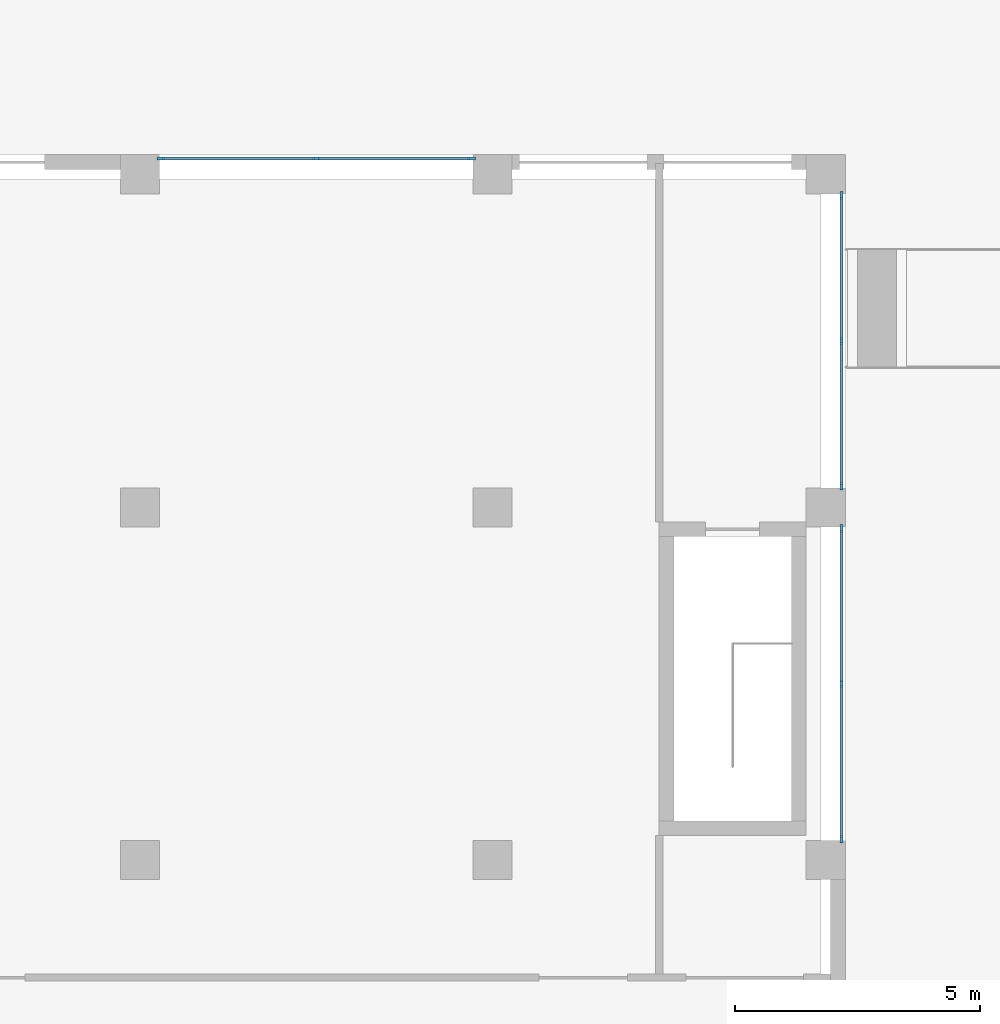
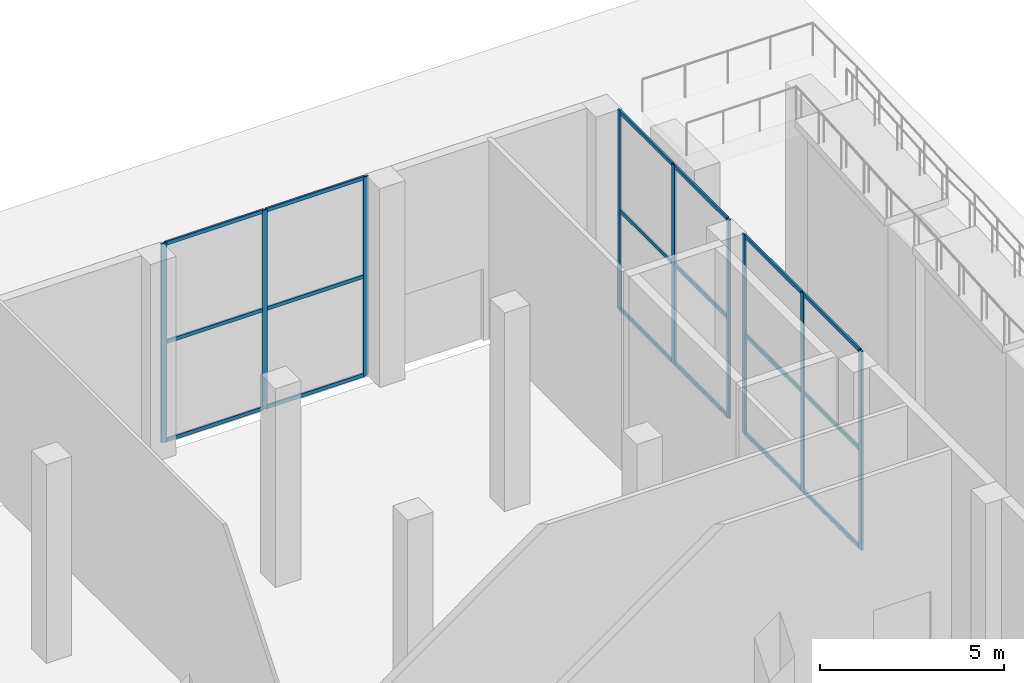
# One storey, part 11 of 44: 27 members, 3 elements without a shape of their own.
"""IFC4 building model written with IfcOpenShell, lengths in metres."""

from ifc_helpers import new_model, si_unit, direction, frame, origin, origin_2d, place, context, subcontext, project, spatial, rectangle, extrude, material, material_profile, profile_set, type_object, element, aggregate, save


model = new_model("IFC4")

# Units and contexts
model_context = context("Model", 3, precision=1e-05, world=origin(), true_north=direction((0.0, 1.0)))
body_context = subcontext(model_context, "Body", "Model", "MODEL_VIEW")
ifc_project = project(units=[si_unit("LENGTHUNIT", "METRE"), si_unit("AREAUNIT", "SQUARE_METRE"), si_unit("VOLUMEUNIT", "CUBIC_METRE"), si_unit("PLANEANGLEUNIT", "RADIAN"), si_unit("MASSUNIT", "GRAM", prefix="KILO")], contexts=[model_context])

# Site, building, storey
site_placement = place(None, origin())
site = spatial("IfcSite", under=ifc_project, at=site_placement, CompositionType="ELEMENT")
building_placement = place(site_placement, origin())
building = spatial("IfcBuilding", under=site, at=building_placement, Name="Fustian Cross Tower", CompositionType="ELEMENT")
storey_placement = place(building_placement, origin())
storey = spatial("IfcBuildingStorey", under=building, at=storey_placement, Name="L00", CompositionType="ELEMENT", Elevation=0.0)

# Curtain wall, members
ifc_material_1 = material(Name="Glass", Category="glass")
curtain_wall_type = type_object("IfcCurtainWallType", Name="CW3 CURTAIN WALL", PredefinedType="NOTDEFINED", material=ifc_material_1)
curtain_wall_1_placement = place(storey_placement, origin())
curtain_wall_1 = element("IfcCurtainWall", 1, at=curtain_wall_1_placement, inside=storey, type_object=curtain_wall_type, Name="Curtain wall CW3", PredefinedType="NOTDEFINED")
ifc_material_2 = material(Name="Aluminium alloy 6063", Category="aluminium")
ifc_material_profile_1 = material_profile(ifc_material_2, rectangle(XDim=0.06005859375, YDim=0.159912109375, at=origin_2d()), Name="CW3 MULLION 60x160")
ifc_profile_set_1 = profile_set([ifc_material_profile_1], Name="Aluminium alloy 6063")
member_type_1 = type_object("IfcMemberType", Name="CW3 MULLION 60x160", PredefinedType="MULLION", material=ifc_profile_set_1)
member_1_placement = place(storey_placement, frame((50.320068359375, 36.429931640625, 0.0), z_axis=(0.0, 0.0, 1.0), x_axis=(-1.0, 0.0, 0.0)))
member_1 = element("IfcMember", 2, at=member_1_placement, type_object=member_type_1, Name="CW3 mullion 1", PredefinedType="MULLION", context=body_context, shape_type="SweptSolid", body=[
    extrude(rectangle(XDim=0.06005859375, YDim=0.159912109375, at=origin_2d()), origin(), (0.0, 0.0, 1.0), 6.60009765625),
])
member_2_placement = place(storey_placement, frame((50.320068359375, 39.60009765625, 0.0), z_axis=(0.0, 0.0, 1.0), x_axis=(-1.0, 0.0, 0.0)))
member_2 = element("IfcMember", 3, at=member_2_placement, type_object=member_type_1, Name="CW3 mullion 2", PredefinedType="MULLION", context=body_context, shape_type="SweptSolid", body=[
    extrude(rectangle(XDim=0.06005859375, YDim=0.159912109375, at=origin_2d()), origin(), (0.0, 0.0, 1.0), 6.60009765625),
])
member_3_placement = place(storey_placement, frame((50.320068359375, 42.77001953125, 0.0), z_axis=(0.0, 0.0, 1.0), x_axis=(-1.0, 0.0, 0.0)))
member_3 = element("IfcMember", 4, at=member_3_placement, type_object=member_type_1, Name="CW3 mullion 3", PredefinedType="MULLION", context=body_context, shape_type="SweptSolid", body=[
    extrude(rectangle(XDim=0.06005859375, YDim=0.159912109375, at=origin_2d()), origin(), (0.0, 0.0, 1.0), 6.60009765625),
])

curtain_wall_2_placement = place(storey_placement, origin())
curtain_wall_2 = element("IfcCurtainWall", 5, at=curtain_wall_2_placement, inside=storey, type_object=curtain_wall_type, Name="Curtain wall CW3", PredefinedType="NOTDEFINED")
member_4_placement = place(storey_placement, frame((50.320068359375, 43.6298828125, 0.0), z_axis=(0.0, 0.0, 1.0), x_axis=(-1.0, 0.0, 0.0)))
member_4 = element("IfcMember", 6, at=member_4_placement, type_object=member_type_1, Name="CW3 mullion 1", PredefinedType="MULLION", context=body_context, shape_type="SweptSolid", body=[
    extrude(rectangle(XDim=0.06005859375, YDim=0.159912109375, at=origin_2d()), origin(), (0.0, 0.0, 1.0), 6.60009765625),
])
member_5_placement = place(storey_placement, frame((50.320068359375, 46.60009765625, 0.0), z_axis=(0.0, 0.0, 1.0), x_axis=(-1.0, 0.0, 0.0)))
member_5 = element("IfcMember", 7, at=member_5_placement, type_object=member_type_1, Name="CW3 mullion 2", PredefinedType="MULLION", context=body_context, shape_type="SweptSolid", body=[
    extrude(rectangle(XDim=0.06005859375, YDim=0.159912109375, at=origin_2d()), origin(), (0.0, 0.0, 1.0), 6.60009765625),
])
member_6_placement = place(storey_placement, frame((50.320068359375, 49.570068359375, 0.0), z_axis=(0.0, 0.0, 1.0), x_axis=(-1.0, 0.0, 0.0)))
member_6 = element("IfcMember", 8, at=member_6_placement, type_object=member_type_1, Name="CW3 mullion 3", PredefinedType="MULLION", context=body_context, shape_type="SweptSolid", body=[
    extrude(rectangle(XDim=0.06005859375, YDim=0.159912109375, at=origin_2d()), origin(), (0.0, 0.0, 1.0), 6.60009765625),
])

curtain_wall_3_placement = place(storey_placement, origin())
curtain_wall_3 = element("IfcCurtainWall", 9, at=curtain_wall_3_placement, inside=storey, type_object=curtain_wall_type, Name="Curtain wall CW3", PredefinedType="NOTDEFINED")
member_7_placement = place(storey_placement, frame((42.77001953125, 50.320068359375, 0.0), z_axis=(0.0, 0.0, 1.0), x_axis=(0.0, -1.0, 0.0)))
member_7 = element("IfcMember", 10, at=member_7_placement, type_object=member_type_1, Name="CW3 mullion 1", PredefinedType="MULLION", context=body_context, shape_type="SweptSolid", body=[
    extrude(rectangle(XDim=0.06005859375, YDim=0.159912109375, at=origin_2d()), origin(), (0.0, 0.0, 1.0), 6.60009765625),
])
member_8_placement = place(storey_placement, frame((39.60009765625, 50.320068359375, 0.0), z_axis=(0.0, 0.0, 1.0), x_axis=(0.0, -1.0, 0.0)))
member_8 = element("IfcMember", 11, at=member_8_placement, type_object=member_type_1, Name="CW3 mullion 2", PredefinedType="MULLION", context=body_context, shape_type="SweptSolid", body=[
    extrude(rectangle(XDim=0.06005859375, YDim=0.159912109375, at=origin_2d()), origin(), (0.0, 0.0, 1.0), 6.60009765625),
])
member_9_placement = place(storey_placement, frame((36.429931640625, 50.320068359375, 0.0), z_axis=(0.0, 0.0, 1.0), x_axis=(0.0, -1.0, 0.0)))
member_9 = element("IfcMember", 12, at=member_9_placement, type_object=member_type_1, Name="CW3 mullion 3", PredefinedType="MULLION", context=body_context, shape_type="SweptSolid", body=[
    extrude(rectangle(XDim=0.06005859375, YDim=0.159912109375, at=origin_2d()), origin(), (0.0, 0.0, 1.0), 6.60009765625),
])

# Member
ifc_material_3 = material(Name="Aluminium alloy 6063", Category="aluminium")
ifc_material_profile_2 = material_profile(ifc_material_3, rectangle(XDim=0.06005859375, YDim=0.1201171875, at=origin_2d()), Name="CW3 TRANSOM 60x120")
ifc_profile_set_2 = profile_set([ifc_material_profile_2], Name="Aluminium alloy 6063")
member_type_2 = type_object("IfcMemberType", Name="CW3 TRANSOM 60x120", PredefinedType="USERDEFINED", material=ifc_profile_set_2)
member_10_placement = place(storey_placement, frame((50.320068359375, 36.4599609375, 0.030029296875), z_axis=(0.0, 1.0, 0.0), x_axis=(-1.0, 0.0, 0.0)))
member_10 = element("IfcMember", 13, at=member_10_placement, type_object=member_type_2, Name="CW3 transom 1.1", ObjectType="TRANSOM", PredefinedType="USERDEFINED", context=body_context, shape_type="SweptSolid", body=[
    extrude(rectangle(XDim=0.06005859375, YDim=0.1201171875, at=origin_2d()), origin(), (0.0, 0.0, 1.0), 3.110107421875),
])

member_11_placement = place(storey_placement, frame((50.320068359375, 36.4599609375, 3.300048828125), z_axis=(0.0, 1.0, 0.0), x_axis=(-1.0, 0.0, 0.0)))
member_11 = element("IfcMember", 14, at=member_11_placement, type_object=member_type_2, Name="CW3 transom 1.2", ObjectType="TRANSOM", PredefinedType="USERDEFINED", context=body_context, shape_type="SweptSolid", body=[
    extrude(rectangle(XDim=0.06005859375, YDim=0.1201171875, at=origin_2d()), origin(), (0.0, 0.0, 1.0), 3.110107421875),
])

member_12_placement = place(storey_placement, frame((50.320068359375, 36.4599609375, 6.570068359375), z_axis=(0.0, 1.0, 0.0), x_axis=(-1.0, 0.0, 0.0)))
member_12 = element("IfcMember", 15, at=member_12_placement, type_object=member_type_2, Name="CW3 transom 1.3", ObjectType="TRANSOM", PredefinedType="USERDEFINED", context=body_context, shape_type="SweptSolid", body=[
    extrude(rectangle(XDim=0.06005859375, YDim=0.1201171875, at=origin_2d()), origin(), (0.0, 0.0, 1.0), 3.110107421875),
])

member_13_placement = place(storey_placement, frame((50.320068359375, 39.6298828125, 0.030029296875), z_axis=(0.0, 1.0, 0.0), x_axis=(-1.0, 0.0, 0.0)))
member_13 = element("IfcMember", 16, at=member_13_placement, type_object=member_type_2, Name="CW3 transom 2.1", ObjectType="TRANSOM", PredefinedType="USERDEFINED", context=body_context, shape_type="SweptSolid", body=[
    extrude(rectangle(XDim=0.06005859375, YDim=0.1201171875, at=origin_2d()), origin(), (0.0, 0.0, 1.0), 3.110107421875),
])

member_14_placement = place(storey_placement, frame((50.320068359375, 39.6298828125, 3.300048828125), z_axis=(0.0, 1.0, 0.0), x_axis=(-1.0, 0.0, 0.0)))
member_14 = element("IfcMember", 17, at=member_14_placement, type_object=member_type_2, Name="CW3 transom 2.2", ObjectType="TRANSOM", PredefinedType="USERDEFINED", context=body_context, shape_type="SweptSolid", body=[
    extrude(rectangle(XDim=0.06005859375, YDim=0.1201171875, at=origin_2d()), origin(), (0.0, 0.0, 1.0), 3.110107421875),
])

member_15_placement = place(storey_placement, frame((50.320068359375, 39.6298828125, 6.570068359375), z_axis=(0.0, 1.0, 0.0), x_axis=(-1.0, 0.0, 0.0)))
member_15 = element("IfcMember", 18, at=member_15_placement, type_object=member_type_2, Name="CW3 transom 2.3", ObjectType="TRANSOM", PredefinedType="USERDEFINED", context=body_context, shape_type="SweptSolid", body=[
    extrude(rectangle(XDim=0.06005859375, YDim=0.1201171875, at=origin_2d()), origin(), (0.0, 0.0, 1.0), 3.110107421875),
])

aggregate(curtain_wall_1, [member_1, member_2, member_3, member_10, member_11, member_12, member_13, member_14, member_15])

member_16_placement = place(storey_placement, frame((50.320068359375, 43.659912109375, 0.030029296875), z_axis=(0.0, 1.0, 0.0), x_axis=(-1.0, 0.0, 0.0)))
member_16 = element("IfcMember", 19, at=member_16_placement, type_object=member_type_2, Name="CW3 transom 1.1", ObjectType="TRANSOM", PredefinedType="USERDEFINED", context=body_context, shape_type="SweptSolid", body=[
    extrude(rectangle(XDim=0.06005859375, YDim=0.1201171875, at=origin_2d()), origin(), (0.0, 0.0, 1.0), 2.91015625),
])

member_17_placement = place(storey_placement, frame((50.320068359375, 43.659912109375, 3.300048828125), z_axis=(0.0, 1.0, 0.0), x_axis=(-1.0, 0.0, 0.0)))
member_17 = element("IfcMember", 20, at=member_17_placement, type_object=member_type_2, Name="CW3 transom 1.2", ObjectType="TRANSOM", PredefinedType="USERDEFINED", context=body_context, shape_type="SweptSolid", body=[
    extrude(rectangle(XDim=0.06005859375, YDim=0.1201171875, at=origin_2d()), origin(), (0.0, 0.0, 1.0), 2.91015625),
])

member_18_placement = place(storey_placement, frame((50.320068359375, 43.659912109375, 6.570068359375), z_axis=(0.0, 1.0, 0.0), x_axis=(-1.0, 0.0, 0.0)))
member_18 = element("IfcMember", 21, at=member_18_placement, type_object=member_type_2, Name="CW3 transom 1.3", ObjectType="TRANSOM", PredefinedType="USERDEFINED", context=body_context, shape_type="SweptSolid", body=[
    extrude(rectangle(XDim=0.06005859375, YDim=0.1201171875, at=origin_2d()), origin(), (0.0, 0.0, 1.0), 2.91015625),
])

member_19_placement = place(storey_placement, frame((50.320068359375, 46.6298828125, 0.030029296875), z_axis=(0.0, 1.0, 0.0), x_axis=(-1.0, 0.0, 0.0)))
member_19 = element("IfcMember", 22, at=member_19_placement, type_object=member_type_2, Name="CW3 transom 2.1", ObjectType="TRANSOM", PredefinedType="USERDEFINED", context=body_context, shape_type="SweptSolid", body=[
    extrude(rectangle(XDim=0.06005859375, YDim=0.1201171875, at=origin_2d()), origin(), (0.0, 0.0, 1.0), 2.91015625),
])

member_20_placement = place(storey_placement, frame((50.320068359375, 46.6298828125, 3.300048828125), z_axis=(0.0, 1.0, 0.0), x_axis=(-1.0, 0.0, 0.0)))
member_20 = element("IfcMember", 23, at=member_20_placement, type_object=member_type_2, Name="CW3 transom 2.2", ObjectType="TRANSOM", PredefinedType="USERDEFINED", context=body_context, shape_type="SweptSolid", body=[
    extrude(rectangle(XDim=0.06005859375, YDim=0.1201171875, at=origin_2d()), origin(), (0.0, 0.0, 1.0), 2.91015625),
])

member_21_placement = place(storey_placement, frame((50.320068359375, 46.6298828125, 6.570068359375), z_axis=(0.0, 1.0, 0.0), x_axis=(-1.0, 0.0, 0.0)))
member_21 = element("IfcMember", 24, at=member_21_placement, type_object=member_type_2, Name="CW3 transom 2.3", ObjectType="TRANSOM", PredefinedType="USERDEFINED", context=body_context, shape_type="SweptSolid", body=[
    extrude(rectangle(XDim=0.06005859375, YDim=0.1201171875, at=origin_2d()), origin(), (0.0, 0.0, 1.0), 2.91015625),
])

aggregate(curtain_wall_2, [member_4, member_5, member_6, member_16, member_17, member_18, member_19, member_20, member_21])

member_22_placement = place(storey_placement, frame((42.739990234375, 50.320068359375, 0.030029296875), z_axis=(-1.0, 0.0, 0.0), x_axis=(0.0, -1.0, 0.0)))
member_22 = element("IfcMember", 25, at=member_22_placement, type_object=member_type_2, Name="CW3 transom 1.1", ObjectType="TRANSOM", PredefinedType="USERDEFINED", context=body_context, shape_type="SweptSolid", body=[
    extrude(rectangle(XDim=0.06005859375, YDim=0.1201171875, at=origin_2d()), origin(), (0.0, 0.0, 1.0), 3.110107421875),
])

member_23_placement = place(storey_placement, frame((42.739990234375, 50.320068359375, 3.300048828125), z_axis=(-1.0, 0.0, 0.0), x_axis=(0.0, -1.0, 0.0)))
member_23 = element("IfcMember", 26, at=member_23_placement, type_object=member_type_2, Name="CW3 transom 1.2", ObjectType="TRANSOM", PredefinedType="USERDEFINED", context=body_context, shape_type="SweptSolid", body=[
    extrude(rectangle(XDim=0.06005859375, YDim=0.1201171875, at=origin_2d()), origin(), (0.0, 0.0, 1.0), 3.110107421875),
])

member_24_placement = place(storey_placement, frame((42.739990234375, 50.320068359375, 6.570068359375), z_axis=(-1.0, 0.0, 0.0), x_axis=(0.0, -1.0, 0.0)))
member_24 = element("IfcMember", 27, at=member_24_placement, type_object=member_type_2, Name="CW3 transom 1.3", ObjectType="TRANSOM", PredefinedType="USERDEFINED", context=body_context, shape_type="SweptSolid", body=[
    extrude(rectangle(XDim=0.06005859375, YDim=0.1201171875, at=origin_2d()), origin(), (0.0, 0.0, 1.0), 3.110107421875),
])

member_25_placement = place(storey_placement, frame((39.570068359375, 50.320068359375, 0.030029296875), z_axis=(-1.0, 0.0, 0.0), x_axis=(0.0, -1.0, 0.0)))
member_25 = element("IfcMember", 28, at=member_25_placement, type_object=member_type_2, Name="CW3 transom 2.1", ObjectType="TRANSOM", PredefinedType="USERDEFINED", context=body_context, shape_type="SweptSolid", body=[
    extrude(rectangle(XDim=0.06005859375, YDim=0.1201171875, at=origin_2d()), origin(), (0.0, 0.0, 1.0), 3.110107421875),
])

member_26_placement = place(storey_placement, frame((39.570068359375, 50.320068359375, 3.300048828125), z_axis=(-1.0, 0.0, 0.0), x_axis=(0.0, -1.0, 0.0)))
member_26 = element("IfcMember", 29, at=member_26_placement, type_object=member_type_2, Name="CW3 transom 2.2", ObjectType="TRANSOM", PredefinedType="USERDEFINED", context=body_context, shape_type="SweptSolid", body=[
    extrude(rectangle(XDim=0.06005859375, YDim=0.1201171875, at=origin_2d()), origin(), (0.0, 0.0, 1.0), 3.110107421875),
])

member_27_placement = place(storey_placement, frame((39.570068359375, 50.320068359375, 6.570068359375), z_axis=(-1.0, 0.0, 0.0), x_axis=(0.0, -1.0, 0.0)))
member_27 = element("IfcMember", 30, at=member_27_placement, type_object=member_type_2, Name="CW3 transom 2.3", ObjectType="TRANSOM", PredefinedType="USERDEFINED", context=body_context, shape_type="SweptSolid", body=[
    extrude(rectangle(XDim=0.06005859375, YDim=0.1201171875, at=origin_2d()), origin(), (0.0, 0.0, 1.0), 3.110107421875),
])

aggregate(curtain_wall_3, [member_7, member_8, member_9, member_22, member_23, member_24, member_25, member_26, member_27])

save(model, "model.ifc")
